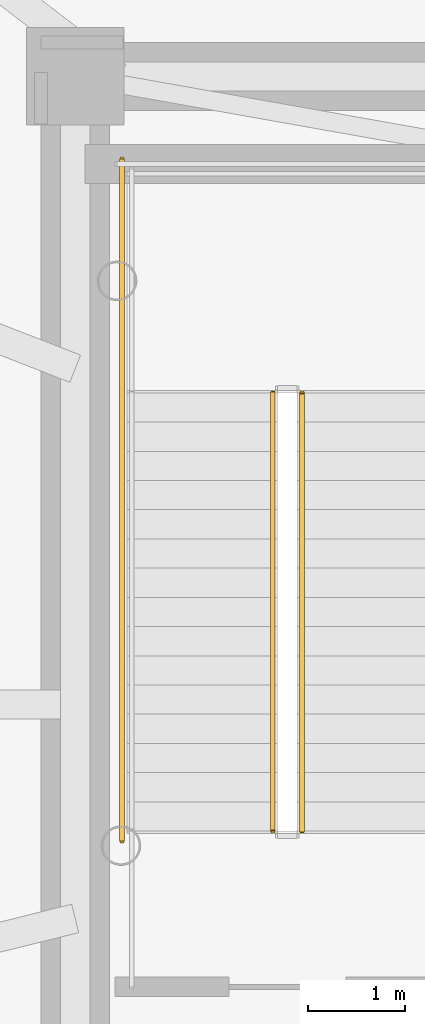
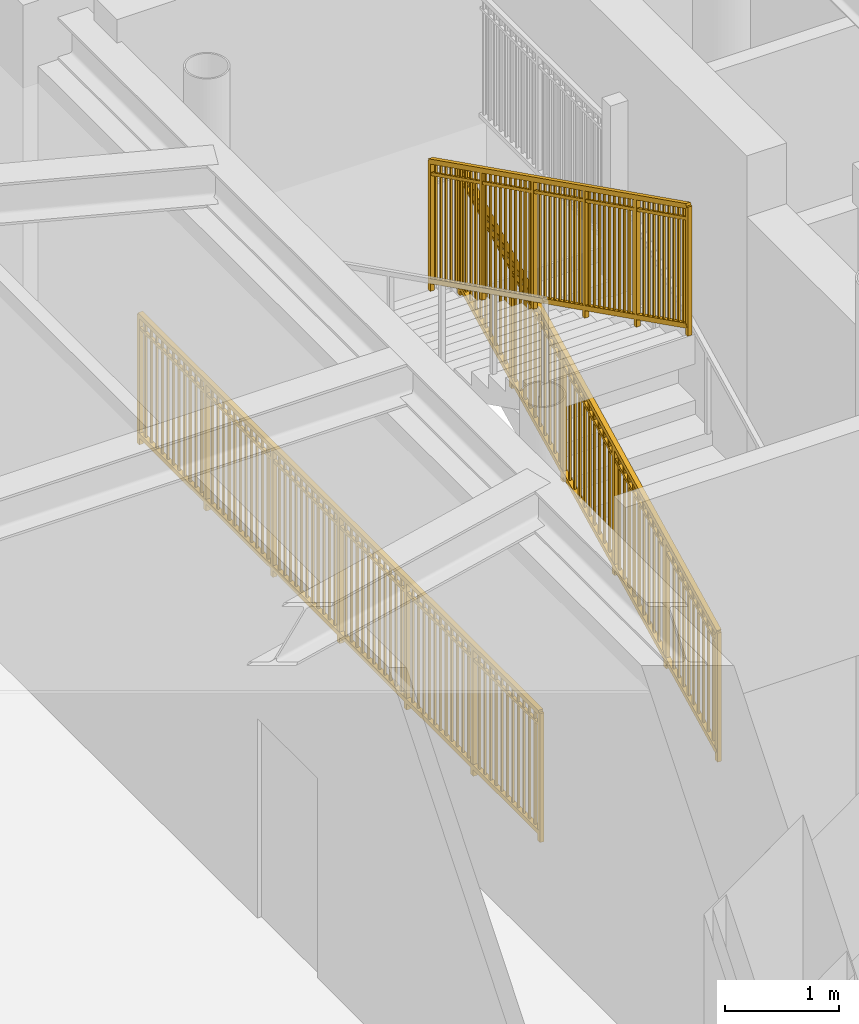
# One storey, part 28 of 32: 3 railings.
"""IFC4 building model written with IfcOpenShell, lengths in metres."""

from ifc_helpers import new_model, si_unit, direction, frame, origin, origin_2d, place, context, subcontext, project, spatial, rectangle, extrude, source, transform, mapped, material, type_object, element, save


model = new_model("IFC4")

# Units and contexts
model_context = context("Model", 3, precision=1e-05, world=origin(), true_north=direction((0.0, 1.0)))
body_context = subcontext(model_context, "Body", "Model", "MODEL_VIEW")
ifc_project = project(units=[si_unit("LENGTHUNIT", "METRE"), si_unit("AREAUNIT", "SQUARE_METRE"), si_unit("VOLUMEUNIT", "CUBIC_METRE"), si_unit("PLANEANGLEUNIT", "RADIAN"), si_unit("MASSUNIT", "GRAM", prefix="KILO")], contexts=[model_context])

# Site, building, storey
site_placement = place(None, origin())
site = spatial("IfcSite", under=ifc_project, at=site_placement, CompositionType="ELEMENT")
building_placement = place(site_placement, origin())
building = spatial("IfcBuilding", under=site, at=building_placement, Name="Linh Dai School and Residence Tower", CompositionType="ELEMENT")
storey_placement = place(building_placement, frame((0.0, 0.0, 268.199951171875)))
storey = spatial("IfcBuildingStorey", under=building, at=storey_placement, Name="L66", CompositionType="ELEMENT", Elevation=268.199951171875)

# Railings
ifc_material = material(Name="Structural Steel S355JR", Category="steel")
railing_type = type_object("IfcRailingType", Name="RL-ST-GUARD-1400", PredefinedType="GUARDRAIL", material=ifc_material)
shared_shape_1 = source(origin(), body_context, "Body", "SweptSolid", [
    extrude(rectangle(XDim=0.048095703125, YDim=0.048095703125, at=origin_2d()), frame((0.0, 0.0, 1.3759765625), z_axis=(0.0, 1.0, 0.0), x_axis=(-1.0, 0.0, 0.0)), (0.0, 0.0, 1.0), 7.0),
    extrude(rectangle(XDim=0.048095703125, YDim=0.048095703125, at=origin_2d()), frame((0.0, 0.0, 0.10009765625), z_axis=(0.0, 1.0, 0.0), x_axis=(-1.0, 0.0, 0.0)), (0.0, 0.0, 1.0), 7.0),
    extrude(rectangle(XDim=0.030029296875, YDim=0.030029296875, at=origin_2d()), frame((0.0, 0.0, 1.239990234375), z_axis=(0.0, 1.0, 0.0), x_axis=(-1.0, 0.0, 0.0)), (0.0, 0.0, 1.0), 7.0),
    extrude(rectangle(XDim=0.02001953125, YDim=0.02001953125, at=origin_2d()), frame((0.0, 0.09716796875, 0.10009765625)), (0.0, 0.0, 1.0), 1.251708984375),
    extrude(rectangle(XDim=0.02001953125, YDim=0.02001953125, at=origin_2d()), frame((0.0, 0.1943359375, 0.10009765625)), (0.0, 0.0, 1.0), 1.251708984375),
    extrude(rectangle(XDim=0.02001953125, YDim=0.02001953125, at=origin_2d()), frame((0.0, 0.291748046875, 0.10009765625)), (0.0, 0.0, 1.0), 1.251708984375),
    extrude(rectangle(XDim=0.02001953125, YDim=0.02001953125, at=origin_2d()), frame((0.0, 0.388916015625, 0.10009765625)), (0.0, 0.0, 1.0), 1.251708984375),
    extrude(rectangle(XDim=0.02001953125, YDim=0.02001953125, at=origin_2d()), frame((0.0, 0.486083984375, 0.10009765625)), (0.0, 0.0, 1.0), 1.251708984375),
    extrude(rectangle(XDim=0.02001953125, YDim=0.02001953125, at=origin_2d()), frame((0.0, 0.583251953125, 0.10009765625)), (0.0, 0.0, 1.0), 1.251708984375),
    extrude(rectangle(XDim=0.02001953125, YDim=0.02001953125, at=origin_2d()), frame((0.0, 0.6806640625, 0.10009765625)), (0.0, 0.0, 1.0), 1.251708984375),
    extrude(rectangle(XDim=0.02001953125, YDim=0.02001953125, at=origin_2d()), frame((0.0, 0.77783203125, 0.10009765625)), (0.0, 0.0, 1.0), 1.251708984375),
    extrude(rectangle(XDim=0.02001953125, YDim=0.02001953125, at=origin_2d()), frame((0.0, 0.875, 0.10009765625)), (0.0, 0.0, 1.0), 1.251708984375),
    extrude(rectangle(XDim=0.02001953125, YDim=0.02001953125, at=origin_2d()), frame((0.0, 0.97216796875, 0.10009765625)), (0.0, 0.0, 1.0), 1.251708984375),
    extrude(rectangle(XDim=0.02001953125, YDim=0.02001953125, at=origin_2d()), frame((0.0, 1.0693359375, 0.10009765625)), (0.0, 0.0, 1.0), 1.251708984375),
    extrude(rectangle(XDim=0.02001953125, YDim=0.02001953125, at=origin_2d()), frame((0.0, 1.263916015625, 0.10009765625)), (0.0, 0.0, 1.0), 1.251708984375),
    extrude(rectangle(XDim=0.02001953125, YDim=0.02001953125, at=origin_2d()), frame((0.0, 1.361083984375, 0.10009765625)), (0.0, 0.0, 1.0), 1.251708984375),
    extrude(rectangle(XDim=0.02001953125, YDim=0.02001953125, at=origin_2d()), frame((0.0, 1.458251953125, 0.10009765625)), (0.0, 0.0, 1.0), 1.251708984375),
    extrude(rectangle(XDim=0.02001953125, YDim=0.02001953125, at=origin_2d()), frame((0.0, 1.5556640625, 0.10009765625)), (0.0, 0.0, 1.0), 1.251708984375),
    extrude(rectangle(XDim=0.02001953125, YDim=0.02001953125, at=origin_2d()), frame((0.0, 1.65283203125, 0.10009765625)), (0.0, 0.0, 1.0), 1.251708984375),
    extrude(rectangle(XDim=0.02001953125, YDim=0.02001953125, at=origin_2d()), frame((0.0, 1.75, 0.10009765625)), (0.0, 0.0, 1.0), 1.251708984375),
    extrude(rectangle(XDim=0.02001953125, YDim=0.02001953125, at=origin_2d()), frame((0.0, 1.84716796875, 0.10009765625)), (0.0, 0.0, 1.0), 1.251708984375),
    extrude(rectangle(XDim=0.02001953125, YDim=0.02001953125, at=origin_2d()), frame((0.0, 1.9443359375, 0.10009765625)), (0.0, 0.0, 1.0), 1.251708984375),
    extrude(rectangle(XDim=0.02001953125, YDim=0.02001953125, at=origin_2d()), frame((0.0, 2.041748046875, 0.10009765625)), (0.0, 0.0, 1.0), 1.251708984375),
    extrude(rectangle(XDim=0.02001953125, YDim=0.02001953125, at=origin_2d()), frame((0.0, 2.138916015625, 0.10009765625)), (0.0, 0.0, 1.0), 1.251708984375),
    extrude(rectangle(XDim=0.02001953125, YDim=0.02001953125, at=origin_2d()), frame((0.0, 2.236083984375, 0.10009765625)), (0.0, 0.0, 1.0), 1.251708984375),
    extrude(rectangle(XDim=0.02001953125, YDim=0.02001953125, at=origin_2d()), frame((0.0, 2.4306640625, 0.10009765625)), (0.0, 0.0, 1.0), 1.251708984375),
    extrude(rectangle(XDim=0.02001953125, YDim=0.02001953125, at=origin_2d()), frame((0.0, 2.52783203125, 0.10009765625)), (0.0, 0.0, 1.0), 1.251708984375),
    extrude(rectangle(XDim=0.02001953125, YDim=0.02001953125, at=origin_2d()), frame((0.0, 2.625, 0.10009765625)), (0.0, 0.0, 1.0), 1.251708984375),
    extrude(rectangle(XDim=0.02001953125, YDim=0.02001953125, at=origin_2d()), frame((0.0, 2.72216796875, 0.10009765625)), (0.0, 0.0, 1.0), 1.251708984375),
    extrude(rectangle(XDim=0.02001953125, YDim=0.02001953125, at=origin_2d()), frame((0.0, 2.8193359375, 0.10009765625)), (0.0, 0.0, 1.0), 1.251708984375),
    extrude(rectangle(XDim=0.02001953125, YDim=0.02001953125, at=origin_2d()), frame((0.0, 2.916748046875, 0.10009765625)), (0.0, 0.0, 1.0), 1.251708984375),
    extrude(rectangle(XDim=0.02001953125, YDim=0.02001953125, at=origin_2d()), frame((0.0, 3.013916015625, 0.10009765625)), (0.0, 0.0, 1.0), 1.251708984375),
    extrude(rectangle(XDim=0.02001953125, YDim=0.02001953125, at=origin_2d()), frame((0.0, 3.111083984375, 0.10009765625)), (0.0, 0.0, 1.0), 1.251708984375),
    extrude(rectangle(XDim=0.02001953125, YDim=0.02001953125, at=origin_2d()), frame((0.0, 3.208251953125, 0.10009765625)), (0.0, 0.0, 1.0), 1.251708984375),
    extrude(rectangle(XDim=0.02001953125, YDim=0.02001953125, at=origin_2d()), frame((0.0, 3.3056640625, 0.10009765625)), (0.0, 0.0, 1.0), 1.251708984375),
    extrude(rectangle(XDim=0.02001953125, YDim=0.02001953125, at=origin_2d()), frame((0.0, 3.40283203125, 0.10009765625)), (0.0, 0.0, 1.0), 1.251708984375),
    extrude(rectangle(XDim=0.02001953125, YDim=0.02001953125, at=origin_2d()), frame((0.0, 3.59716796875, 0.10009765625)), (0.0, 0.0, 1.0), 1.251708984375),
    extrude(rectangle(XDim=0.02001953125, YDim=0.02001953125, at=origin_2d()), frame((0.0, 3.6943359375, 0.10009765625)), (0.0, 0.0, 1.0), 1.251708984375),
    extrude(rectangle(XDim=0.02001953125, YDim=0.02001953125, at=origin_2d()), frame((0.0, 3.791748046875, 0.10009765625)), (0.0, 0.0, 1.0), 1.251708984375),
    extrude(rectangle(XDim=0.02001953125, YDim=0.02001953125, at=origin_2d()), frame((0.0, 3.888916015625, 0.10009765625)), (0.0, 0.0, 1.0), 1.251708984375),
    extrude(rectangle(XDim=0.02001953125, YDim=0.02001953125, at=origin_2d()), frame((0.0, 3.986083984375, 0.10009765625)), (0.0, 0.0, 1.0), 1.251708984375),
    extrude(rectangle(XDim=0.02001953125, YDim=0.02001953125, at=origin_2d()), frame((0.0, 4.083251953125, 0.10009765625)), (0.0, 0.0, 1.0), 1.251708984375),
    extrude(rectangle(XDim=0.02001953125, YDim=0.02001953125, at=origin_2d()), frame((0.0, 4.1806640625, 0.10009765625)), (0.0, 0.0, 1.0), 1.251708984375),
    extrude(rectangle(XDim=0.02001953125, YDim=0.02001953125, at=origin_2d()), frame((0.0, 4.27783203125, 0.10009765625)), (0.0, 0.0, 1.0), 1.251708984375),
    extrude(rectangle(XDim=0.02001953125, YDim=0.02001953125, at=origin_2d()), frame((0.0, 4.375, 0.10009765625)), (0.0, 0.0, 1.0), 1.251708984375),
    extrude(rectangle(XDim=0.02001953125, YDim=0.02001953125, at=origin_2d()), frame((0.0, 4.47216796875, 0.10009765625)), (0.0, 0.0, 1.0), 1.251708984375),
    extrude(rectangle(XDim=0.02001953125, YDim=0.02001953125, at=origin_2d()), frame((0.0, 4.5693359375, 0.10009765625)), (0.0, 0.0, 1.0), 1.251708984375),
    extrude(rectangle(XDim=0.02001953125, YDim=0.02001953125, at=origin_2d()), frame((0.0, 4.763916015625, 0.10009765625)), (0.0, 0.0, 1.0), 1.251708984375),
    extrude(rectangle(XDim=0.02001953125, YDim=0.02001953125, at=origin_2d()), frame((0.0, 4.861083984375, 0.10009765625)), (0.0, 0.0, 1.0), 1.251708984375),
    extrude(rectangle(XDim=0.02001953125, YDim=0.02001953125, at=origin_2d()), frame((0.0, 4.958251953125, 0.10009765625)), (0.0, 0.0, 1.0), 1.251708984375),
    extrude(rectangle(XDim=0.02001953125, YDim=0.02001953125, at=origin_2d()), frame((0.0, 5.0556640625, 0.10009765625)), (0.0, 0.0, 1.0), 1.251708984375),
    extrude(rectangle(XDim=0.02001953125, YDim=0.02001953125, at=origin_2d()), frame((0.0, 5.15283203125, 0.10009765625)), (0.0, 0.0, 1.0), 1.251708984375),
    extrude(rectangle(XDim=0.02001953125, YDim=0.02001953125, at=origin_2d()), frame((0.0, 5.25, 0.10009765625)), (0.0, 0.0, 1.0), 1.251708984375),
    extrude(rectangle(XDim=0.02001953125, YDim=0.02001953125, at=origin_2d()), frame((0.0, 5.34716796875, 0.10009765625)), (0.0, 0.0, 1.0), 1.251708984375),
    extrude(rectangle(XDim=0.02001953125, YDim=0.02001953125, at=origin_2d()), frame((0.0, 5.4443359375, 0.10009765625)), (0.0, 0.0, 1.0), 1.251708984375),
    extrude(rectangle(XDim=0.02001953125, YDim=0.02001953125, at=origin_2d()), frame((0.0, 5.541748046875, 0.10009765625)), (0.0, 0.0, 1.0), 1.251708984375),
    extrude(rectangle(XDim=0.02001953125, YDim=0.02001953125, at=origin_2d()), frame((0.0, 5.638916015625, 0.10009765625)), (0.0, 0.0, 1.0), 1.251708984375),
    extrude(rectangle(XDim=0.02001953125, YDim=0.02001953125, at=origin_2d()), frame((0.0, 5.736083984375, 0.10009765625)), (0.0, 0.0, 1.0), 1.251708984375),
    extrude(rectangle(XDim=0.02001953125, YDim=0.02001953125, at=origin_2d()), frame((0.0, 5.9306640625, 0.10009765625)), (0.0, 0.0, 1.0), 1.251708984375),
    extrude(rectangle(XDim=0.02001953125, YDim=0.02001953125, at=origin_2d()), frame((0.0, 6.02783203125, 0.10009765625)), (0.0, 0.0, 1.0), 1.251708984375),
    extrude(rectangle(XDim=0.02001953125, YDim=0.02001953125, at=origin_2d()), frame((0.0, 6.125, 0.10009765625)), (0.0, 0.0, 1.0), 1.251708984375),
    extrude(rectangle(XDim=0.02001953125, YDim=0.02001953125, at=origin_2d()), frame((0.0, 6.22216796875, 0.10009765625)), (0.0, 0.0, 1.0), 1.251708984375),
    extrude(rectangle(XDim=0.02001953125, YDim=0.02001953125, at=origin_2d()), frame((0.0, 6.3193359375, 0.10009765625)), (0.0, 0.0, 1.0), 1.251708984375),
    extrude(rectangle(XDim=0.02001953125, YDim=0.02001953125, at=origin_2d()), frame((0.0, 6.416748046875, 0.10009765625)), (0.0, 0.0, 1.0), 1.251708984375),
    extrude(rectangle(XDim=0.02001953125, YDim=0.02001953125, at=origin_2d()), frame((0.0, 6.513916015625, 0.10009765625)), (0.0, 0.0, 1.0), 1.251708984375),
    extrude(rectangle(XDim=0.02001953125, YDim=0.02001953125, at=origin_2d()), frame((0.0, 6.611083984375, 0.10009765625)), (0.0, 0.0, 1.0), 1.251708984375),
    extrude(rectangle(XDim=0.02001953125, YDim=0.02001953125, at=origin_2d()), frame((0.0, 6.708251953125, 0.10009765625)), (0.0, 0.0, 1.0), 1.251708984375),
    extrude(rectangle(XDim=0.02001953125, YDim=0.02001953125, at=origin_2d()), frame((0.0, 6.8056640625, 0.10009765625)), (0.0, 0.0, 1.0), 1.251708984375),
    extrude(rectangle(XDim=0.02001953125, YDim=0.02001953125, at=origin_2d()), frame((0.0, 6.90283203125, 0.10009765625)), (0.0, 0.0, 1.0), 1.251708984375),
    extrude(rectangle(XDim=0.0419921875, YDim=0.0419921875, at=origin_2d()), origin(), (0.0, 0.0, 1.0), 1.3759765625),
    extrude(rectangle(XDim=0.0419921875, YDim=0.0419921875, at=origin_2d()), frame((0.0, 1.166748046875, 0.0)), (0.0, 0.0, 1.0), 1.3759765625),
    extrude(rectangle(XDim=0.0419921875, YDim=0.0419921875, at=origin_2d()), frame((0.0, 2.333251953125, 0.0)), (0.0, 0.0, 1.0), 1.3759765625),
    extrude(rectangle(XDim=0.0419921875, YDim=0.0419921875, at=origin_2d()), frame((0.0, 3.5, 0.0)), (0.0, 0.0, 1.0), 1.3759765625),
    extrude(rectangle(XDim=0.0419921875, YDim=0.0419921875, at=origin_2d()), frame((0.0, 4.666748046875, 0.0)), (0.0, 0.0, 1.0), 1.3759765625),
    extrude(rectangle(XDim=0.0419921875, YDim=0.0419921875, at=origin_2d()), frame((0.0, 5.833251953125, 0.0)), (0.0, 0.0, 1.0), 1.3759765625),
    extrude(rectangle(XDim=0.0419921875, YDim=0.0419921875, at=origin_2d()), frame((0.0, 7.0, 0.0)), (0.0, 0.0, 1.0), 1.3759765625),
])
railing_1_placement = place(storey_placement, frame((27.6298828125, 25.60009765625, 0.0)))
element("IfcRailing", 1, at=railing_1_placement, inside=storey, type_object=railing_type, Name="L66 ST1 stair guard 11", PredefinedType="GUARDRAIL", context=body_context, shape_type="MappedRepresentation", body=[
    mapped(shared_shape_1, transform((0.0, 0.0, 0.0), x_axis=(1.0, 0.0, 0.0), y_axis=(0.0, 1.0, 0.0), z_axis=(0.0, 0.0, 1.0), scale=1.0)),
])
shared_shape_2 = source(origin(), body_context, "Body", "SweptSolid", [
    extrude(rectangle(XDim=0.048095703125, YDim=0.048095703125, at=origin_2d()), frame((0.0, 0.0, 1.3759765625), z_axis=(0.0, 0.894427191, 0.4472135955), x_axis=(-1.0, 0.0, 0.0)), (0.0, 0.0, 1.0), 5.03125),
    extrude(rectangle(XDim=0.048095703125, YDim=0.048095703125, at=origin_2d()), frame((0.0, 0.0, 0.10009765625), z_axis=(0.0, 0.894427191, 0.4472135955), x_axis=(-1.0, 0.0, 0.0)), (0.0, 0.0, 1.0), 5.03125),
    extrude(rectangle(XDim=0.030029296875, YDim=0.030029296875, at=origin_2d()), frame((0.0, 0.0, 1.239990234375), z_axis=(0.0, 0.894427191, 0.4472135955), x_axis=(-1.0, 0.0, 0.0)), (0.0, 0.0, 1.0), 5.03125),
    extrude(rectangle(XDim=0.02001953125, YDim=0.02001953125, at=origin_2d()), frame((0.0, 0.08642578125, 0.143310546875)), (0.0, 0.0, 1.0), 1.251708984375),
    extrude(rectangle(XDim=0.02001953125, YDim=0.02001953125, at=origin_2d()), frame((0.0, 0.173095703125, 0.1865234375)), (0.0, 0.0, 1.0), 1.251708984375),
    extrude(rectangle(XDim=0.02001953125, YDim=0.02001953125, at=origin_2d()), frame((0.0, 0.259521484375, 0.22998046875)), (0.0, 0.0, 1.0), 1.251708984375),
    extrude(rectangle(XDim=0.02001953125, YDim=0.02001953125, at=origin_2d()), frame((0.0, 0.34619140625, 0.273193359375)), (0.0, 0.0, 1.0), 1.251708984375),
    extrude(rectangle(XDim=0.02001953125, YDim=0.02001953125, at=origin_2d()), frame((0.0, 0.4326171875, 0.31640625)), (0.0, 0.0, 1.0), 1.251708984375),
    extrude(rectangle(XDim=0.02001953125, YDim=0.02001953125, at=origin_2d()), frame((0.0, 0.519287109375, 0.359619140625)), (0.0, 0.0, 1.0), 1.251708984375),
    extrude(rectangle(XDim=0.02001953125, YDim=0.02001953125, at=origin_2d()), frame((0.0, 0.605712890625, 0.403076171875)), (0.0, 0.0, 1.0), 1.251708984375),
    extrude(rectangle(XDim=0.02001953125, YDim=0.02001953125, at=origin_2d()), frame((0.0, 0.6923828125, 0.4462890625)), (0.0, 0.0, 1.0), 1.251708984375),
    extrude(rectangle(XDim=0.02001953125, YDim=0.02001953125, at=origin_2d()), frame((0.0, 0.77880859375, 0.489501953125)), (0.0, 0.0, 1.0), 1.251708984375),
    extrude(rectangle(XDim=0.02001953125, YDim=0.02001953125, at=origin_2d()), frame((0.0, 0.951904296875, 0.576171875)), (0.0, 0.0, 1.0), 1.251708984375),
    extrude(rectangle(XDim=0.02001953125, YDim=0.02001953125, at=origin_2d()), frame((0.0, 1.03857421875, 0.619384765625)), (0.0, 0.0, 1.0), 1.251708984375),
    extrude(rectangle(XDim=0.02001953125, YDim=0.02001953125, at=origin_2d()), frame((0.0, 1.125, 0.66259765625)), (0.0, 0.0, 1.0), 1.251708984375),
    extrude(rectangle(XDim=0.02001953125, YDim=0.02001953125, at=origin_2d()), frame((0.0, 1.21142578125, 0.705810546875)), (0.0, 0.0, 1.0), 1.251708984375),
    extrude(rectangle(XDim=0.02001953125, YDim=0.02001953125, at=origin_2d()), frame((0.0, 1.298095703125, 0.7490234375)), (0.0, 0.0, 1.0), 1.251708984375),
    extrude(rectangle(XDim=0.02001953125, YDim=0.02001953125, at=origin_2d()), frame((0.0, 1.384521484375, 0.79248046875)), (0.0, 0.0, 1.0), 1.251708984375),
    extrude(rectangle(XDim=0.02001953125, YDim=0.02001953125, at=origin_2d()), frame((0.0, 1.47119140625, 0.835693359375)), (0.0, 0.0, 1.0), 1.251708984375),
    extrude(rectangle(XDim=0.02001953125, YDim=0.02001953125, at=origin_2d()), frame((0.0, 1.5576171875, 0.87890625)), (0.0, 0.0, 1.0), 1.251708984375),
    extrude(rectangle(XDim=0.02001953125, YDim=0.02001953125, at=origin_2d()), frame((0.0, 1.644287109375, 0.922119140625)), (0.0, 0.0, 1.0), 1.251708984375),
    extrude(rectangle(XDim=0.02001953125, YDim=0.02001953125, at=origin_2d()), frame((0.0, 1.730712890625, 0.965576171875)), (0.0, 0.0, 1.0), 1.251708984375),
    extrude(rectangle(XDim=0.02001953125, YDim=0.02001953125, at=origin_2d()), frame((0.0, 1.90380859375, 1.052001953125)), (0.0, 0.0, 1.0), 1.251708984375),
    extrude(rectangle(XDim=0.02001953125, YDim=0.02001953125, at=origin_2d()), frame((0.0, 1.990478515625, 1.09521484375)), (0.0, 0.0, 1.0), 1.251708984375),
    extrude(rectangle(XDim=0.02001953125, YDim=0.02001953125, at=origin_2d()), frame((0.0, 2.076904296875, 1.138671875)), (0.0, 0.0, 1.0), 1.251708984375),
    extrude(rectangle(XDim=0.02001953125, YDim=0.02001953125, at=origin_2d()), frame((0.0, 2.16357421875, 1.181884765625)), (0.0, 0.0, 1.0), 1.251708984375),
    extrude(rectangle(XDim=0.02001953125, YDim=0.02001953125, at=origin_2d()), frame((0.0, 2.25, 1.22509765625)), (0.0, 0.0, 1.0), 1.251708984375),
    extrude(rectangle(XDim=0.02001953125, YDim=0.02001953125, at=origin_2d()), frame((0.0, 2.33642578125, 1.268310546875)), (0.0, 0.0, 1.0), 1.251708984375),
    extrude(rectangle(XDim=0.02001953125, YDim=0.02001953125, at=origin_2d()), frame((0.0, 2.423095703125, 1.3115234375)), (0.0, 0.0, 1.0), 1.251708984375),
    extrude(rectangle(XDim=0.02001953125, YDim=0.02001953125, at=origin_2d()), frame((0.0, 2.509521484375, 1.35498046875)), (0.0, 0.0, 1.0), 1.251708984375),
    extrude(rectangle(XDim=0.02001953125, YDim=0.02001953125, at=origin_2d()), frame((0.0, 2.59619140625, 1.398193359375)), (0.0, 0.0, 1.0), 1.251708984375),
    extrude(rectangle(XDim=0.02001953125, YDim=0.02001953125, at=origin_2d()), frame((0.0, 2.769287109375, 1.484619140625)), (0.0, 0.0, 1.0), 1.251708984375),
    extrude(rectangle(XDim=0.02001953125, YDim=0.02001953125, at=origin_2d()), frame((0.0, 2.855712890625, 1.528076171875)), (0.0, 0.0, 1.0), 1.251708984375),
    extrude(rectangle(XDim=0.02001953125, YDim=0.02001953125, at=origin_2d()), frame((0.0, 2.9423828125, 1.5712890625)), (0.0, 0.0, 1.0), 1.251708984375),
    extrude(rectangle(XDim=0.02001953125, YDim=0.02001953125, at=origin_2d()), frame((0.0, 3.02880859375, 1.614501953125)), (0.0, 0.0, 1.0), 1.251708984375),
    extrude(rectangle(XDim=0.02001953125, YDim=0.02001953125, at=origin_2d()), frame((0.0, 3.115478515625, 1.65771484375)), (0.0, 0.0, 1.0), 1.251708984375),
    extrude(rectangle(XDim=0.02001953125, YDim=0.02001953125, at=origin_2d()), frame((0.0, 3.201904296875, 1.701171875)), (0.0, 0.0, 1.0), 1.251708984375),
    extrude(rectangle(XDim=0.02001953125, YDim=0.02001953125, at=origin_2d()), frame((0.0, 3.28857421875, 1.744384765625)), (0.0, 0.0, 1.0), 1.251708984375),
    extrude(rectangle(XDim=0.02001953125, YDim=0.02001953125, at=origin_2d()), frame((0.0, 3.375, 1.78759765625)), (0.0, 0.0, 1.0), 1.251708984375),
    extrude(rectangle(XDim=0.02001953125, YDim=0.02001953125, at=origin_2d()), frame((0.0, 3.46142578125, 1.830810546875)), (0.0, 0.0, 1.0), 1.251708984375),
    extrude(rectangle(XDim=0.02001953125, YDim=0.02001953125, at=origin_2d()), frame((0.0, 3.548095703125, 1.8740234375)), (0.0, 0.0, 1.0), 1.251708984375),
    extrude(rectangle(XDim=0.02001953125, YDim=0.02001953125, at=origin_2d()), frame((0.0, 3.72119140625, 1.960693359375)), (0.0, 0.0, 1.0), 1.251708984375),
    extrude(rectangle(XDim=0.02001953125, YDim=0.02001953125, at=origin_2d()), frame((0.0, 3.8076171875, 2.00390625)), (0.0, 0.0, 1.0), 1.251708984375),
    extrude(rectangle(XDim=0.02001953125, YDim=0.02001953125, at=origin_2d()), frame((0.0, 3.894287109375, 2.047119140625)), (0.0, 0.0, 1.0), 1.251708984375),
    extrude(rectangle(XDim=0.02001953125, YDim=0.02001953125, at=origin_2d()), frame((0.0, 3.980712890625, 2.090576171875)), (0.0, 0.0, 1.0), 1.251708984375),
    extrude(rectangle(XDim=0.02001953125, YDim=0.02001953125, at=origin_2d()), frame((0.0, 4.0673828125, 2.1337890625)), (0.0, 0.0, 1.0), 1.251708984375),
    extrude(rectangle(XDim=0.02001953125, YDim=0.02001953125, at=origin_2d()), frame((0.0, 4.15380859375, 2.177001953125)), (0.0, 0.0, 1.0), 1.251708984375),
    extrude(rectangle(XDim=0.02001953125, YDim=0.02001953125, at=origin_2d()), frame((0.0, 4.240478515625, 2.22021484375)), (0.0, 0.0, 1.0), 1.251708984375),
    extrude(rectangle(XDim=0.02001953125, YDim=0.02001953125, at=origin_2d()), frame((0.0, 4.326904296875, 2.263671875)), (0.0, 0.0, 1.0), 1.251708984375),
    extrude(rectangle(XDim=0.02001953125, YDim=0.02001953125, at=origin_2d()), frame((0.0, 4.41357421875, 2.306884765625)), (0.0, 0.0, 1.0), 1.251708984375),
    extrude(rectangle(XDim=0.0419921875, YDim=0.0419921875, at=origin_2d()), origin(), (0.0, 0.0, 1.0), 1.3759765625),
    extrude(rectangle(XDim=0.0419921875, YDim=0.0419921875, at=origin_2d()), frame((0.0, 0.89990234375, 0.449951171875)), (0.0, 0.0, 1.0), 1.3759765625),
    extrude(rectangle(XDim=0.0419921875, YDim=0.0419921875, at=origin_2d()), frame((0.0, 1.800048828125, 0.89990234375)), (0.0, 0.0, 1.0), 1.3759765625),
    extrude(rectangle(XDim=0.0419921875, YDim=0.0419921875, at=origin_2d()), frame((0.0, 2.699951171875, 1.35009765625)), (0.0, 0.0, 1.0), 1.3759765625),
    extrude(rectangle(XDim=0.0419921875, YDim=0.0419921875, at=origin_2d()), frame((0.0, 3.60009765625, 1.800048828125)), (0.0, 0.0, 1.0), 1.3759765625),
    extrude(rectangle(XDim=0.0419921875, YDim=0.0419921875, at=origin_2d()), frame((0.0, 4.5, 2.25)), (0.0, 0.0, 1.0), 1.3759765625),
])
railing_2_placement = place(storey_placement, frame((29.47998046875, 25.699951171875, 0.150146484375)))
element("IfcRailing", 2, at=railing_2_placement, inside=storey, type_object=railing_type, Name="L66 ST1 stair guard 1", PredefinedType="GUARDRAIL", context=body_context, shape_type="MappedRepresentation", body=[
    mapped(shared_shape_2, transform((0.0, 0.0, 0.0), x_axis=(1.0, 0.0, 0.0), y_axis=(0.0, 1.0, 0.0), z_axis=(0.0, 0.0, 1.0), scale=1.0)),
])
shared_shape_3 = source(origin(), body_context, "Body", "SweptSolid", [
    extrude(rectangle(XDim=0.048095703125, YDim=0.048095703125, at=origin_2d()), frame((0.0, 0.0, 1.3759765625), z_axis=(0.0, -0.894427191, 0.4472135955), x_axis=(1.0, 0.0, 0.0)), (0.0, 0.0, 1.0), 5.03125),
    extrude(rectangle(XDim=0.048095703125, YDim=0.048095703125, at=origin_2d()), frame((0.0, 0.0, 0.10009765625), z_axis=(0.0, -0.894427191, 0.4472135955), x_axis=(1.0, 0.0, 0.0)), (0.0, 0.0, 1.0), 5.03125),
    extrude(rectangle(XDim=0.030029296875, YDim=0.030029296875, at=origin_2d()), frame((0.0, 0.0, 1.239990234375), z_axis=(0.0, -0.894427191, 0.4472135955), x_axis=(1.0, 0.0, 0.0)), (0.0, 0.0, 1.0), 5.03125),
    extrude(rectangle(XDim=0.02001953125, YDim=0.02001953125, at=origin_2d()), frame((0.0, -0.08642578125, 0.143310546875)), (0.0, 0.0, 1.0), 1.251708984375),
    extrude(rectangle(XDim=0.02001953125, YDim=0.02001953125, at=origin_2d()), frame((0.0, -0.173095703125, 0.1865234375)), (0.0, 0.0, 1.0), 1.251708984375),
    extrude(rectangle(XDim=0.02001953125, YDim=0.02001953125, at=origin_2d()), frame((0.0, -0.259521484375, 0.22998046875)), (0.0, 0.0, 1.0), 1.251708984375),
    extrude(rectangle(XDim=0.02001953125, YDim=0.02001953125, at=origin_2d()), frame((0.0, -0.34619140625, 0.273193359375)), (0.0, 0.0, 1.0), 1.251708984375),
    extrude(rectangle(XDim=0.02001953125, YDim=0.02001953125, at=origin_2d()), frame((0.0, -0.4326171875, 0.31640625)), (0.0, 0.0, 1.0), 1.251708984375),
    extrude(rectangle(XDim=0.02001953125, YDim=0.02001953125, at=origin_2d()), frame((0.0, -0.519287109375, 0.359619140625)), (0.0, 0.0, 1.0), 1.251708984375),
    extrude(rectangle(XDim=0.02001953125, YDim=0.02001953125, at=origin_2d()), frame((0.0, -0.605712890625, 0.403076171875)), (0.0, 0.0, 1.0), 1.251708984375),
    extrude(rectangle(XDim=0.02001953125, YDim=0.02001953125, at=origin_2d()), frame((0.0, -0.6923828125, 0.4462890625)), (0.0, 0.0, 1.0), 1.251708984375),
    extrude(rectangle(XDim=0.02001953125, YDim=0.02001953125, at=origin_2d()), frame((0.0, -0.77880859375, 0.489501953125)), (0.0, 0.0, 1.0), 1.251708984375),
    extrude(rectangle(XDim=0.02001953125, YDim=0.02001953125, at=origin_2d()), frame((0.0, -0.951904296875, 0.576171875)), (0.0, 0.0, 1.0), 1.251708984375),
    extrude(rectangle(XDim=0.02001953125, YDim=0.02001953125, at=origin_2d()), frame((0.0, -1.03857421875, 0.619384765625)), (0.0, 0.0, 1.0), 1.251708984375),
    extrude(rectangle(XDim=0.02001953125, YDim=0.02001953125, at=origin_2d()), frame((0.0, -1.125, 0.66259765625)), (0.0, 0.0, 1.0), 1.251708984375),
    extrude(rectangle(XDim=0.02001953125, YDim=0.02001953125, at=origin_2d()), frame((0.0, -1.21142578125, 0.705810546875)), (0.0, 0.0, 1.0), 1.251708984375),
    extrude(rectangle(XDim=0.02001953125, YDim=0.02001953125, at=origin_2d()), frame((0.0, -1.298095703125, 0.7490234375)), (0.0, 0.0, 1.0), 1.251708984375),
    extrude(rectangle(XDim=0.02001953125, YDim=0.02001953125, at=origin_2d()), frame((0.0, -1.384521484375, 0.79248046875)), (0.0, 0.0, 1.0), 1.251708984375),
    extrude(rectangle(XDim=0.02001953125, YDim=0.02001953125, at=origin_2d()), frame((0.0, -1.47119140625, 0.835693359375)), (0.0, 0.0, 1.0), 1.251708984375),
    extrude(rectangle(XDim=0.02001953125, YDim=0.02001953125, at=origin_2d()), frame((0.0, -1.5576171875, 0.87890625)), (0.0, 0.0, 1.0), 1.251708984375),
    extrude(rectangle(XDim=0.02001953125, YDim=0.02001953125, at=origin_2d()), frame((0.0, -1.644287109375, 0.922119140625)), (0.0, 0.0, 1.0), 1.251708984375),
    extrude(rectangle(XDim=0.02001953125, YDim=0.02001953125, at=origin_2d()), frame((0.0, -1.730712890625, 0.965576171875)), (0.0, 0.0, 1.0), 1.251708984375),
    extrude(rectangle(XDim=0.02001953125, YDim=0.02001953125, at=origin_2d()), frame((0.0, -1.90380859375, 1.052001953125)), (0.0, 0.0, 1.0), 1.251708984375),
    extrude(rectangle(XDim=0.02001953125, YDim=0.02001953125, at=origin_2d()), frame((0.0, -1.990478515625, 1.09521484375)), (0.0, 0.0, 1.0), 1.251708984375),
    extrude(rectangle(XDim=0.02001953125, YDim=0.02001953125, at=origin_2d()), frame((0.0, -2.076904296875, 1.138671875)), (0.0, 0.0, 1.0), 1.251708984375),
    extrude(rectangle(XDim=0.02001953125, YDim=0.02001953125, at=origin_2d()), frame((0.0, -2.16357421875, 1.181884765625)), (0.0, 0.0, 1.0), 1.251708984375),
    extrude(rectangle(XDim=0.02001953125, YDim=0.02001953125, at=origin_2d()), frame((0.0, -2.25, 1.22509765625)), (0.0, 0.0, 1.0), 1.251708984375),
    extrude(rectangle(XDim=0.02001953125, YDim=0.02001953125, at=origin_2d()), frame((0.0, -2.33642578125, 1.268310546875)), (0.0, 0.0, 1.0), 1.251708984375),
    extrude(rectangle(XDim=0.02001953125, YDim=0.02001953125, at=origin_2d()), frame((0.0, -2.423095703125, 1.3115234375)), (0.0, 0.0, 1.0), 1.251708984375),
    extrude(rectangle(XDim=0.02001953125, YDim=0.02001953125, at=origin_2d()), frame((0.0, -2.509521484375, 1.35498046875)), (0.0, 0.0, 1.0), 1.251708984375),
    extrude(rectangle(XDim=0.02001953125, YDim=0.02001953125, at=origin_2d()), frame((0.0, -2.59619140625, 1.398193359375)), (0.0, 0.0, 1.0), 1.251708984375),
    extrude(rectangle(XDim=0.02001953125, YDim=0.02001953125, at=origin_2d()), frame((0.0, -2.769287109375, 1.484619140625)), (0.0, 0.0, 1.0), 1.251708984375),
    extrude(rectangle(XDim=0.02001953125, YDim=0.02001953125, at=origin_2d()), frame((0.0, -2.855712890625, 1.528076171875)), (0.0, 0.0, 1.0), 1.251708984375),
    extrude(rectangle(XDim=0.02001953125, YDim=0.02001953125, at=origin_2d()), frame((0.0, -2.9423828125, 1.5712890625)), (0.0, 0.0, 1.0), 1.251708984375),
    extrude(rectangle(XDim=0.02001953125, YDim=0.02001953125, at=origin_2d()), frame((0.0, -3.02880859375, 1.614501953125)), (0.0, 0.0, 1.0), 1.251708984375),
    extrude(rectangle(XDim=0.02001953125, YDim=0.02001953125, at=origin_2d()), frame((0.0, -3.115478515625, 1.65771484375)), (0.0, 0.0, 1.0), 1.251708984375),
    extrude(rectangle(XDim=0.02001953125, YDim=0.02001953125, at=origin_2d()), frame((0.0, -3.201904296875, 1.701171875)), (0.0, 0.0, 1.0), 1.251708984375),
    extrude(rectangle(XDim=0.02001953125, YDim=0.02001953125, at=origin_2d()), frame((0.0, -3.28857421875, 1.744384765625)), (0.0, 0.0, 1.0), 1.251708984375),
    extrude(rectangle(XDim=0.02001953125, YDim=0.02001953125, at=origin_2d()), frame((0.0, -3.375, 1.78759765625)), (0.0, 0.0, 1.0), 1.251708984375),
    extrude(rectangle(XDim=0.02001953125, YDim=0.02001953125, at=origin_2d()), frame((0.0, -3.46142578125, 1.830810546875)), (0.0, 0.0, 1.0), 1.251708984375),
    extrude(rectangle(XDim=0.02001953125, YDim=0.02001953125, at=origin_2d()), frame((0.0, -3.548095703125, 1.8740234375)), (0.0, 0.0, 1.0), 1.251708984375),
    extrude(rectangle(XDim=0.02001953125, YDim=0.02001953125, at=origin_2d()), frame((0.0, -3.72119140625, 1.960693359375)), (0.0, 0.0, 1.0), 1.251708984375),
    extrude(rectangle(XDim=0.02001953125, YDim=0.02001953125, at=origin_2d()), frame((0.0, -3.8076171875, 2.00390625)), (0.0, 0.0, 1.0), 1.251708984375),
    extrude(rectangle(XDim=0.02001953125, YDim=0.02001953125, at=origin_2d()), frame((0.0, -3.894287109375, 2.047119140625)), (0.0, 0.0, 1.0), 1.251708984375),
    extrude(rectangle(XDim=0.02001953125, YDim=0.02001953125, at=origin_2d()), frame((0.0, -3.980712890625, 2.090576171875)), (0.0, 0.0, 1.0), 1.251708984375),
    extrude(rectangle(XDim=0.02001953125, YDim=0.02001953125, at=origin_2d()), frame((0.0, -4.0673828125, 2.1337890625)), (0.0, 0.0, 1.0), 1.251708984375),
    extrude(rectangle(XDim=0.02001953125, YDim=0.02001953125, at=origin_2d()), frame((0.0, -4.15380859375, 2.177001953125)), (0.0, 0.0, 1.0), 1.251708984375),
    extrude(rectangle(XDim=0.02001953125, YDim=0.02001953125, at=origin_2d()), frame((0.0, -4.240478515625, 2.22021484375)), (0.0, 0.0, 1.0), 1.251708984375),
    extrude(rectangle(XDim=0.02001953125, YDim=0.02001953125, at=origin_2d()), frame((0.0, -4.326904296875, 2.263671875)), (0.0, 0.0, 1.0), 1.251708984375),
    extrude(rectangle(XDim=0.02001953125, YDim=0.02001953125, at=origin_2d()), frame((0.0, -4.41357421875, 2.306884765625)), (0.0, 0.0, 1.0), 1.251708984375),
    extrude(rectangle(XDim=0.0419921875, YDim=0.0419921875, at=origin_2d()), origin(), (0.0, 0.0, 1.0), 1.3759765625),
    extrude(rectangle(XDim=0.0419921875, YDim=0.0419921875, at=origin_2d()), frame((0.0, -0.89990234375, 0.449951171875)), (0.0, 0.0, 1.0), 1.3759765625),
    extrude(rectangle(XDim=0.0419921875, YDim=0.0419921875, at=origin_2d()), frame((0.0, -1.800048828125, 0.89990234375)), (0.0, 0.0, 1.0), 1.3759765625),
    extrude(rectangle(XDim=0.0419921875, YDim=0.0419921875, at=origin_2d()), frame((0.0, -2.699951171875, 1.35009765625)), (0.0, 0.0, 1.0), 1.3759765625),
    extrude(rectangle(XDim=0.0419921875, YDim=0.0419921875, at=origin_2d()), frame((0.0, -3.60009765625, 1.800048828125)), (0.0, 0.0, 1.0), 1.3759765625),
    extrude(rectangle(XDim=0.0419921875, YDim=0.0419921875, at=origin_2d()), frame((0.0, -4.5, 2.25)), (0.0, 0.0, 1.0), 1.3759765625),
])
railing_3_placement = place(storey_placement, frame((29.179931640625, 30.199951171875, 2.550048828125)))
element("IfcRailing", 3, at=railing_3_placement, inside=storey, type_object=railing_type, Name="L66 ST1 stair guard 6", PredefinedType="GUARDRAIL", context=body_context, shape_type="MappedRepresentation", body=[
    mapped(shared_shape_3, transform((0.0, 0.0, 0.0), x_axis=(1.0, 0.0, 0.0), y_axis=(0.0, 1.0, 0.0), z_axis=(0.0, 0.0, 1.0), scale=1.0)),
])

save(model, "model.ifc")
